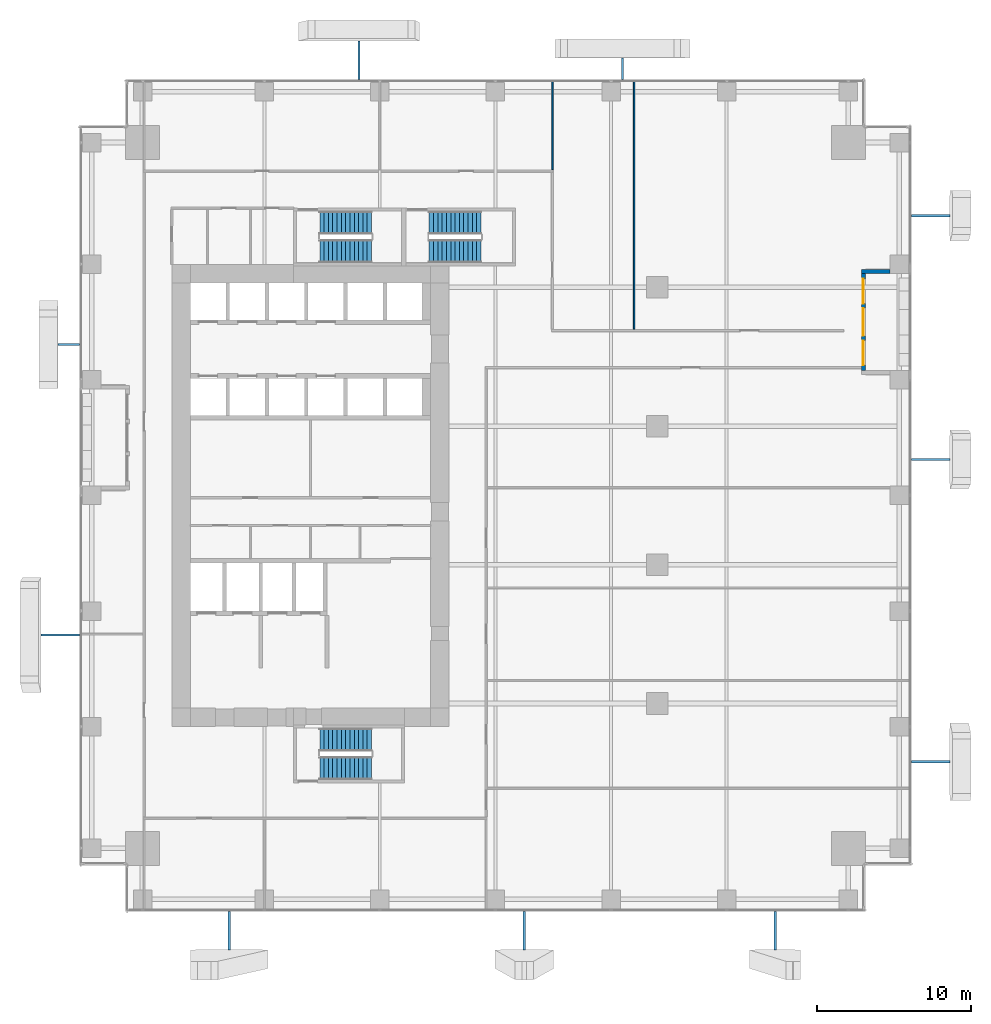
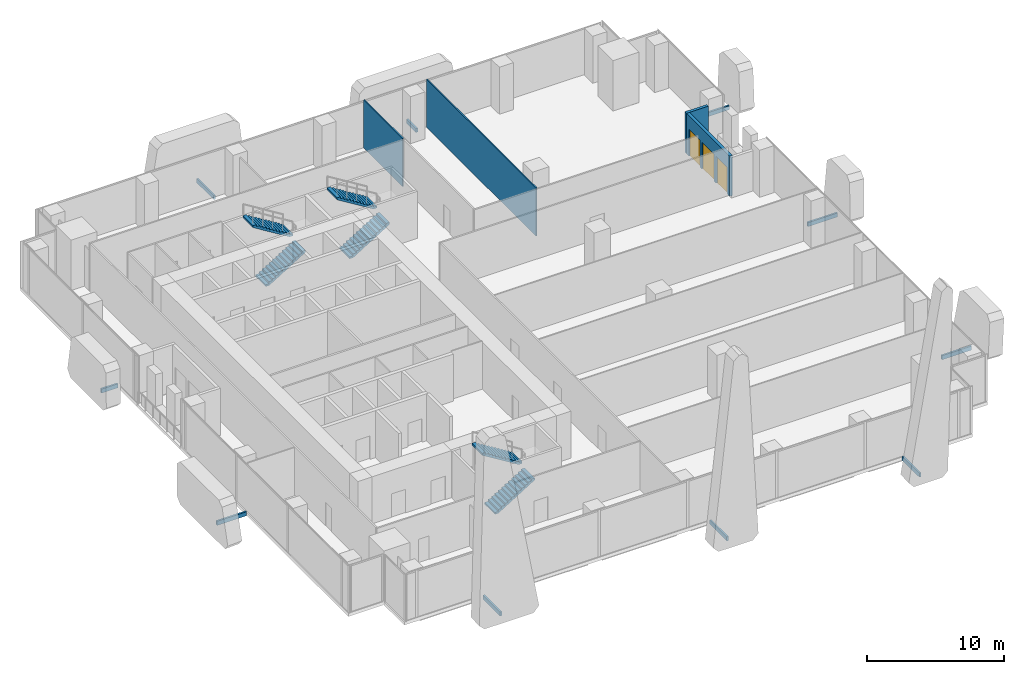
# One storey, part 30 of 35: 10 discrete accessories, 6 stair flights, 4 walls, 2 windows, 1 door, 3 openings, 3 elements without a shape of their own.
"""IFC4 building model written with IfcOpenShell, lengths in metres."""

from ifc_helpers import new_model, si_unit, direction, frame, frame_2d, origin, origin_2d, place, context, subcontext, project, spatial, polyline, rectangle, outline, extrude, source, transform, mapped, material, layer, layer_set, type_object, element, fill, aggregate, save


model = new_model("IFC4")

# Units and contexts
model_context = context("Model", 3, precision=1e-05, world=origin(), true_north=direction((0.0, 1.0)))
body_context = subcontext(model_context, "Body", "Model", "MODEL_VIEW")
ifc_project = project(units=[si_unit("LENGTHUNIT", "METRE"), si_unit("AREAUNIT", "SQUARE_METRE"), si_unit("VOLUMEUNIT", "CUBIC_METRE"), si_unit("PLANEANGLEUNIT", "RADIAN"), si_unit("MASSUNIT", "GRAM", prefix="KILO")], contexts=[model_context])

# Site, building, storey
site_placement = place(None, origin())
site = spatial("IfcSite", under=ifc_project, at=site_placement, CompositionType="ELEMENT")
building_placement = place(site_placement, origin())
building = spatial("IfcBuilding", under=site, at=building_placement, Name="Khomas Fold Tower", CompositionType="ELEMENT")
storey_placement = place(building_placement, frame((0.0, 0.0, 69.0)))
storey = spatial("IfcBuildingStorey", under=building, at=storey_placement, Name="L14", CompositionType="ELEMENT", Elevation=69.0)

# Wall, openings, windows, door
ifc_material_1 = material(Name="Natural stone", Category="masonry")
ifc_layer_1 = layer(ifc_material_1, 0.0400390625)
ifc_material_2 = material(Name="Mineral wool insulation", Category="insulation")
ifc_layer_2 = layer(ifc_material_2, 0.10009765625)
ifc_material_3 = material(Name="Masonry", Category="masonry")
ifc_layer_3 = layer(ifc_material_3, 0.110107421875)
ifc_layer_set_1 = layer_set([ifc_layer_1, ifc_layer_2, ifc_layer_3], Name="Stone-faced insulated masonry")
wall_type_1 = type_object("IfcWallType", Name="BL-Balcony wall", PredefinedType="SOLIDWALL", material=ifc_layer_set_1)
shared_shape_1 = source(origin(), body_context, "Body", "SweptSolid", [
    extrude(rectangle(XDim=6.2998046875, YDim=0.25, at=frame_2d((3.14990234375, 0.0))), origin(), (0.0, 0.0, 1.0), 3.60009765625),
])
wall_1_placement = place(storey_placement, frame((50.875, 35.10009765625, 0.0), z_axis=(0.0, 0.0, 1.0), x_axis=(0.0, 1.0, 0.0)))
wall_1 = element("IfcWall", 1, at=wall_1_placement, inside=storey, type_object=wall_type_1, Name="Balcony wall BAL-L14-E4", PredefinedType="SOLIDWALL", context=body_context, shape_type="MappedRepresentation", body=[
    mapped(shared_shape_1, transform((0.0, 0.0, 0.0))),
])
shared_shape_2 = source(origin(), body_context, "Body", "SweptSolid", [
    extrude(rectangle(XDim=1.60009765625, YDim=2.39990234375, at=frame_2d((0.800048828125, 1.199951171875))), frame((0.0, 0.135009765625, 0.0), z_axis=(0.0, -1.0, 0.0), x_axis=(1.0, 0.0, 0.0)), (0.0, 0.0, 1.0), 0.27001953125),
])
opening_1_placement = place(wall_1_placement, frame((0.35009765625, 0.0, 0.0)))
opening_1 = element("IfcOpeningElement", 2, at=opening_1_placement, cuts=wall_1, Name="Opening BL-W1", PredefinedType="OPENING", context=body_context, shape_type="MappedRepresentation", body=[
    mapped(shared_shape_2, transform((0.0, 0.0, 0.0))),
])
opening_2_placement = place(wall_1_placement, frame((4.35009765625, 0.0, 0.0)))
opening_2 = element("IfcOpeningElement", 3, at=opening_2_placement, cuts=wall_1, Name="Opening BL-W1", PredefinedType="OPENING", context=body_context, shape_type="MappedRepresentation", body=[
    mapped(shared_shape_2, transform((0.0, 0.0, 0.0))),
])
shared_shape_3 = source(origin(), body_context, "Body", "SweptSolid", [
    extrude(rectangle(XDim=1.800048828125, YDim=2.39990234375, at=frame_2d((0.89990234375, 1.199951171875))), frame((0.0, 0.135009765625, 0.0), z_axis=(0.0, -1.0, 0.0), x_axis=(1.0, 0.0, 0.0)), (0.0, 0.0, 1.0), 0.27001953125),
])
opening_3_placement = place(wall_1_placement, frame((2.25, 0.0, 0.0)))
opening_3 = element("IfcOpeningElement", 4, at=opening_3_placement, cuts=wall_1, Name="Opening BD141", PredefinedType="OPENING", context=body_context, shape_type="MappedRepresentation", body=[
    mapped(shared_shape_3, transform((0.0, 0.0, 0.0))),
])
ifc_material_4 = material(Name="Aluminium framed double glazing", Category="aluminium")
window_type = type_object("IfcWindowType", Name="BL-Fixed glazing 1600 x 2400", PartitioningType="SINGLE_PANEL", PredefinedType="WINDOW", material=ifc_material_4)
shared_shape_4 = source(origin(), body_context, "Body", "SweptSolid", [
    extrude(rectangle(XDim=1.60009765625, YDim=2.39990234375, at=frame_2d((0.800048828125, 1.199951171875))), frame((0.0, 0.030029296875, 0.0), z_axis=(0.0, -1.0, 0.0), x_axis=(1.0, 0.0, 0.0)), (0.0, 0.0, 1.0), 0.06005859375),
])
window_1_placement = place(opening_1_placement, origin())
window_1 = element("IfcWindow", 5, at=window_1_placement, inside=storey, type_object=window_type, Name="Balcony glazing BAL-L14-E4-1", OverallHeight=2.39990234375, OverallWidth=1.60009765625, PartitioningType="SINGLE_PANEL", PredefinedType="WINDOW", context=body_context, shape_type="MappedRepresentation", body=[
    mapped(shared_shape_4, transform((0.0, 0.0, 0.0))),
])
fill(opening_1, window_1)
window_2_placement = place(opening_2_placement, origin())
window_2 = element("IfcWindow", 6, at=window_2_placement, inside=storey, type_object=window_type, Name="Balcony glazing BAL-L14-E4-2", OverallHeight=2.39990234375, OverallWidth=1.60009765625, PartitioningType="SINGLE_PANEL", PredefinedType="WINDOW", context=body_context, shape_type="MappedRepresentation", body=[
    mapped(shared_shape_4, transform((0.0, 0.0, 0.0))),
])
fill(opening_2, window_2)
ifc_material_5 = material(Name="Aluminium framed double glazing", Category="aluminium")
door_type = type_object("IfcDoorType", Name="BL-Glazed balcony door 1800 x 2400", OperationType="DOUBLE_DOOR_DOUBLE_SWING", PredefinedType="DOOR", material=ifc_material_5)
shared_shape_5 = source(origin(), body_context, "Body", "SweptSolid", [
    extrude(rectangle(XDim=1.800048828125, YDim=2.39990234375, at=frame_2d((0.89990234375, 1.199951171875))), frame((0.0, 0.02490234375, 0.0), z_axis=(0.0, -1.0, 0.0), x_axis=(1.0, 0.0, 0.0)), (0.0, 0.0, 1.0), 0.050048828125),
])
door_placement = place(opening_3_placement, origin())
door = element("IfcDoor", 7, at=door_placement, inside=storey, type_object=door_type, Name="Balcony door BD141", OperationType="DOUBLE_DOOR_DOUBLE_SWING", OverallHeight=2.39990234375, OverallWidth=1.800048828125, PredefinedType="DOOR", context=body_context, shape_type="MappedRepresentation", body=[
    mapped(shared_shape_5, transform((0.0, 0.0, 0.0))),
])
fill(opening_3, door)

# Walls
shared_shape_6 = source(origin(), body_context, "Body", "SweptSolid", [
    extrude(rectangle(XDim=1.85009765625, YDim=0.25, at=frame_2d((0.925048828125, 0.0))), origin(), (0.0, 0.0, 1.0), 3.60009765625),
])
wall_2_placement = place(storey_placement, frame((52.60009765625, 41.52490234375, 0.0), z_axis=(0.0, 0.0, 1.0), x_axis=(-1.0, 0.0, 0.0)))
element("IfcWall", 8, at=wall_2_placement, inside=storey, type_object=wall_type_1, Name="Balcony return wall BAL-L14-E4-hi", PredefinedType="SOLIDWALL", context=body_context, shape_type="MappedRepresentation", body=[
    mapped(shared_shape_6, transform((0.0, 0.0, 0.0))),
])
ifc_material_6 = material(Name="Plasterboard partition")
ifc_layer_4 = layer(ifc_material_6, 0.10009765625)
ifc_layer_set_2 = layer_set([ifc_layer_4], Name="Plasterboard partition")
wall_type_2 = type_object("IfcWallType", Name="Partition PW1 100", PredefinedType="PARTITIONING", material=ifc_layer_set_2)
shared_shape_7 = source(origin(), body_context, "Body", "SweptSolid", [
    extrude(rectangle(XDim=5.7001953125, YDim=0.10009765625, at=frame_2d((2.85009765625, 0.0))), origin(), (0.0, 0.0, 1.0), 4.300048828125),
])
wall_3_placement = place(storey_placement, frame((30.699951171875, 48.14990234375, 0.0), z_axis=(0.0, 0.0, 1.0), x_axis=(0.0, 1.0, 0.0)))
element("IfcWall", 9, at=wall_3_placement, inside=storey, type_object=wall_type_2, Name="Partition", PredefinedType="PARTITIONING", context=body_context, shape_type="MappedRepresentation", body=[
    mapped(shared_shape_7, transform((0.0, 0.0, 0.0))),
])
shared_shape_8 = source(origin(), body_context, "Body", "SweptSolid", [
    extrude(rectangle(XDim=16.050048828125, YDim=0.10009765625, at=frame_2d((8.02490234375, 0.0))), origin(), (0.0, 0.0, 1.0), 4.300048828125),
])
wall_4_placement = place(storey_placement, frame((36.0, 37.800048828125, 0.0), z_axis=(0.0, 0.0, 1.0), x_axis=(0.0, 1.0, 0.0)))
element("IfcWall", 10, at=wall_4_placement, inside=storey, type_object=wall_type_2, Name="Partition", PredefinedType="PARTITIONING", context=body_context, shape_type="MappedRepresentation", body=[
    mapped(shared_shape_8, transform((0.0, 0.0, 0.0))),
])

# Stair, stair flights
ifc_material_7 = material(Name="Concrete C40/50", Category="concrete")
stair_type_1 = type_object("IfcStairType", Name="Stair ST1", PredefinedType="HALF_TURN_STAIR", material=ifc_material_7)
stair_1_placement = place(storey_placement, origin())
stair_1 = element("IfcStair", 11, at=stair_1_placement, inside=storey, type_object=stair_type_1, Name="L14 ST1", PredefinedType="HALF_TURN_STAIR")
ifc_material_8 = material(Name="Concrete C40/50", Category="concrete")
stair_flight_type_1 = type_object("IfcStairFlightType", Name="Stair flight 1500 ST1", PredefinedType="STRAIGHT", material=ifc_material_8)
shared_shape_9 = source(origin(), body_context, "Body", "SweptSolid", [
    extrude(outline(polyline([(0.0, 0.0), (0.0, 0.013427734375), (0.0, 0.026611328125), (0.0, 0.0400390625), (0.0, 0.05322265625), (0.0, 0.066650390625), (0.0, 0.079833984375), (0.0, 0.09326171875), (0.0, 0.1064453125), (0.0, 0.119873046875), (0.0, 0.133056640625), (0.0, 0.146484375), (0.0, 0.15966796875), (0.0, 0.173095703125), (0.280029296875, 0.173095703125), (0.280029296875, 0.34619140625), (0.56005859375, 0.34619140625), (0.56005859375, 0.519287109375), (0.840087890625, 0.519287109375), (0.840087890625, 0.6923828125), (1.1201171875, 0.6923828125), (1.1201171875, 0.865478515625), (1.39990234375, 0.865478515625), (1.39990234375, 1.03857421875), (1.679931640625, 1.03857421875), (1.679931640625, 1.21142578125), (1.9599609375, 1.21142578125), (1.9599609375, 1.384521484375), (2.239990234375, 1.384521484375), (2.239990234375, 1.5576171875), (2.52001953125, 1.5576171875), (2.52001953125, 1.730712890625), (2.800048828125, 1.730712890625), (2.800048828125, 1.90380859375), (3.080078125, 1.90380859375), (3.080078125, 2.076904296875), (3.360107421875, 2.076904296875), (3.360107421875, 2.25), (3.360107421875, 2.22314453125), (3.360107421875, 2.1962890625), (3.360107421875, 2.16943359375), (3.360107421875, 2.142578125), (3.360107421875, 2.11572265625), (3.360107421875, 2.0888671875), (3.360107421875, 2.06201171875), (3.360107421875, 2.03515625), (3.360107421875, 2.008056640625), (3.360107421875, 1.981201171875), (3.360107421875, 1.954345703125), (3.360107421875, 1.927490234375), (3.360107421875, 1.900634765625), (0.28515625, 0.0), (0.0, 0.0)])), frame((0.0, 0.75, 0.0), z_axis=(0.0, -1.0, 0.0), x_axis=(1.0, 0.0, 0.0)), (0.0, 0.0, 1.0), 1.5),
])
stair_flight_1_placement = place(storey_placement, frame((15.60009765625, 42.85009765625, 0.0), z_axis=(0.0, 0.0, 1.0), x_axis=(1.0, 0.0, 0.0)))
stair_flight_1 = element("IfcStairFlight", 12, at=stair_flight_1_placement, type_object=stair_flight_type_1, Name="ST1 flight 1", NumberOfRisers=13, NumberOfTreads=12, PredefinedType="STRAIGHT", RiserHeight=0.173076923, TreadLength=0.28, context=body_context, shape_type="MappedRepresentation", body=[
    mapped(shared_shape_9, transform((0.0, 0.0, 0.0))),
])
stair_flight_2_placement = place(storey_placement, frame((18.9599609375, 44.699951171875, 2.25), z_axis=(0.0, 0.0, 1.0), x_axis=(-1.0, 0.0, 0.0)))
stair_flight_2 = element("IfcStairFlight", 13, at=stair_flight_2_placement, type_object=stair_flight_type_1, Name="ST1 flight 2", NumberOfRisers=13, NumberOfTreads=12, PredefinedType="STRAIGHT", RiserHeight=0.173076923, TreadLength=0.28, context=body_context, shape_type="MappedRepresentation", body=[
    mapped(shared_shape_9, transform((0.0, 0.0, 0.0))),
])
aggregate(stair_1, [stair_flight_1, stair_flight_2])

ifc_material_9 = material(Name="Concrete C40/50", Category="concrete")
stair_type_2 = type_object("IfcStairType", Name="Stair ST2", PredefinedType="HALF_TURN_STAIR", material=ifc_material_9)
stair_2_placement = place(storey_placement, origin())
stair_2 = element("IfcStair", 14, at=stair_2_placement, inside=storey, type_object=stair_type_2, Name="L14 ST2", PredefinedType="HALF_TURN_STAIR")
ifc_material_10 = material(Name="Concrete C40/50", Category="concrete")
stair_flight_type_2 = type_object("IfcStairFlightType", Name="Stair flight 1500 ST2", PredefinedType="STRAIGHT", material=ifc_material_10)
stair_flight_3_placement = place(storey_placement, frame((15.60009765625, 9.300048828125, 0.0), z_axis=(0.0, 0.0, 1.0), x_axis=(1.0, 0.0, 0.0)))
stair_flight_3 = element("IfcStairFlight", 15, at=stair_flight_3_placement, type_object=stair_flight_type_2, Name="ST2 flight 1", NumberOfRisers=13, NumberOfTreads=12, PredefinedType="STRAIGHT", RiserHeight=0.173076923, TreadLength=0.28, context=body_context, shape_type="MappedRepresentation", body=[
    mapped(shared_shape_9, transform((0.0, 0.0, 0.0))),
])
stair_flight_4_placement = place(storey_placement, frame((18.9599609375, 11.14990234375, 2.25), z_axis=(0.0, 0.0, 1.0), x_axis=(-1.0, 0.0, 0.0)))
stair_flight_4 = element("IfcStairFlight", 16, at=stair_flight_4_placement, type_object=stair_flight_type_2, Name="ST2 flight 2", NumberOfRisers=13, NumberOfTreads=12, PredefinedType="STRAIGHT", RiserHeight=0.173076923, TreadLength=0.28, context=body_context, shape_type="MappedRepresentation", body=[
    mapped(shared_shape_9, transform((0.0, 0.0, 0.0))),
])
aggregate(stair_2, [stair_flight_3, stair_flight_4])

ifc_material_11 = material(Name="Concrete C40/50", Category="concrete")
stair_type_3 = type_object("IfcStairType", Name="Stair ST3", PredefinedType="HALF_TURN_STAIR", material=ifc_material_11)
stair_3_placement = place(storey_placement, origin())
stair_3 = element("IfcStair", 17, at=stair_3_placement, inside=storey, type_object=stair_type_3, Name="L14 ST3", PredefinedType="HALF_TURN_STAIR")
ifc_material_12 = material(Name="Concrete C40/50", Category="concrete")
stair_flight_type_3 = type_object("IfcStairFlightType", Name="Stair flight 1500 ST3", PredefinedType="STRAIGHT", material=ifc_material_12)
stair_flight_5_placement = place(storey_placement, frame((22.699951171875, 42.85009765625, 0.0), z_axis=(0.0, 0.0, 1.0), x_axis=(1.0, 0.0, 0.0)))
stair_flight_5 = element("IfcStairFlight", 18, at=stair_flight_5_placement, type_object=stair_flight_type_3, Name="ST3 flight 1", NumberOfRisers=13, NumberOfTreads=12, PredefinedType="STRAIGHT", RiserHeight=0.173076923, TreadLength=0.28, context=body_context, shape_type="MappedRepresentation", body=[
    mapped(shared_shape_9, transform((0.0, 0.0, 0.0))),
])
stair_flight_6_placement = place(storey_placement, frame((26.06005859375, 44.699951171875, 2.25), z_axis=(0.0, 0.0, 1.0), x_axis=(-1.0, 0.0, 0.0)))
stair_flight_6 = element("IfcStairFlight", 19, at=stair_flight_6_placement, type_object=stair_flight_type_3, Name="ST3 flight 2", NumberOfRisers=13, NumberOfTreads=12, PredefinedType="STRAIGHT", RiserHeight=0.173076923, TreadLength=0.28, context=body_context, shape_type="MappedRepresentation", body=[
    mapped(shared_shape_9, transform((0.0, 0.0, 0.0))),
])
aggregate(stair_3, [stair_flight_5, stair_flight_6])

# Discrete accessories
ifc_material_13 = material(Name="Stainless steel", Category="steel")
discrete_accessory_type = type_object("IfcDiscreteAccessoryType", Name="SK-Stainless steel stone bracket", PredefinedType="BRACKET", material=ifc_material_13)
shared_shape_10 = source(origin(), body_context, "Body", "SweptSolid", [
    extrude(rectangle(XDim=2.5029296875, YDim=0.14990234375, at=origin_2d()), origin(), (0.0, 0.0, 1.0), 0.360107421875),
])
for number, where, z_axis, x_axis, name in (
    (20, (9.7216796875, -1.25146484375, -0.30029296875), (0.0, 0.0, 1.0), (0.0, -1.0, 0.0), "Stone bracket L14 SS03-1-1"),
    (21, (28.877685546875, -1.25146484375, -0.30029296875), (0.0, 0.0, 1.0), (0.0, -1.0, 0.0), "Stone bracket L14 SS06-2-1"),
    (22, (45.150634765625, -1.25146484375, -0.30029296875), (0.0, 0.0, 1.0), (0.0, -1.0, 0.0), "Stone bracket L14 SS09-3-1"),
    (23, (55.25146484375, 9.7216796875, -0.30029296875), (0.0, 0.0, 1.0), (1.0, 0.0, 0.0), "Stone bracket L14 ES03-1-1"),
    (24, (55.25146484375, 29.33642578125, -0.30029296875), (0.0, 0.0, 1.0), (1.0, 0.0, 0.0), "Stone bracket L14 ES06-2-1"),
    (25, (55.25146484375, 45.150634765625, -0.30029296875), (0.0, 0.0, 1.0), (1.0, 0.0, 0.0), "Stone bracket L14 ES09-3-1"),
    (26, (18.1455078125, 55.25146484375, -0.30029296875), (0.0, 0.0, 1.0), (0.0, 1.0, 0.0), "Stone bracket L14 NS05-1-1"),
    (27, (-1.25146484375, 17.94580078125, -0.30029296875), (0.0, 0.0, 1.0), (-1.0, 0.0, 0.0), "Stone bracket L14 WS05-1-1"),
):
    element("IfcDiscreteAccessory", number, at=place(storey_placement, frame(where, z_axis=z_axis, x_axis=x_axis)), inside=storey, type_object=discrete_accessory_type, Name=name, PredefinedType="BRACKET", context=body_context, shape_type="MappedRepresentation", body=[
        mapped(shared_shape_10, transform((0.0, 0.0, 0.0))),
    ])
shared_shape_11 = source(origin(), body_context, "Body", "SweptSolid", [
    extrude(rectangle(XDim=1.3984375, YDim=0.14990234375, at=origin_2d()), origin(), (0.0, 0.0, 1.0), 0.360107421875),
])
for number, where, z_axis, x_axis, name in (
    (28, (35.2431640625, 54.69921875, -0.30029296875), (0.0, 0.0, 1.0), (0.0, 1.0, 0.0), "Stone bracket L14 NS08-2-1"),
    (29, (-0.69921875, 36.790283203125, -0.30029296875), (0.0, 0.0, 1.0), (-1.0, 0.0, 0.0), "Stone bracket L14 WS08-2-1"),
):
    element("IfcDiscreteAccessory", number, at=place(storey_placement, frame(where, z_axis=z_axis, x_axis=x_axis)), inside=storey, type_object=discrete_accessory_type, Name=name, PredefinedType="BRACKET", context=body_context, shape_type="MappedRepresentation", body=[
        mapped(shared_shape_11, transform((0.0, 0.0, 0.0))),
    ])

save(model, "model.ifc")
